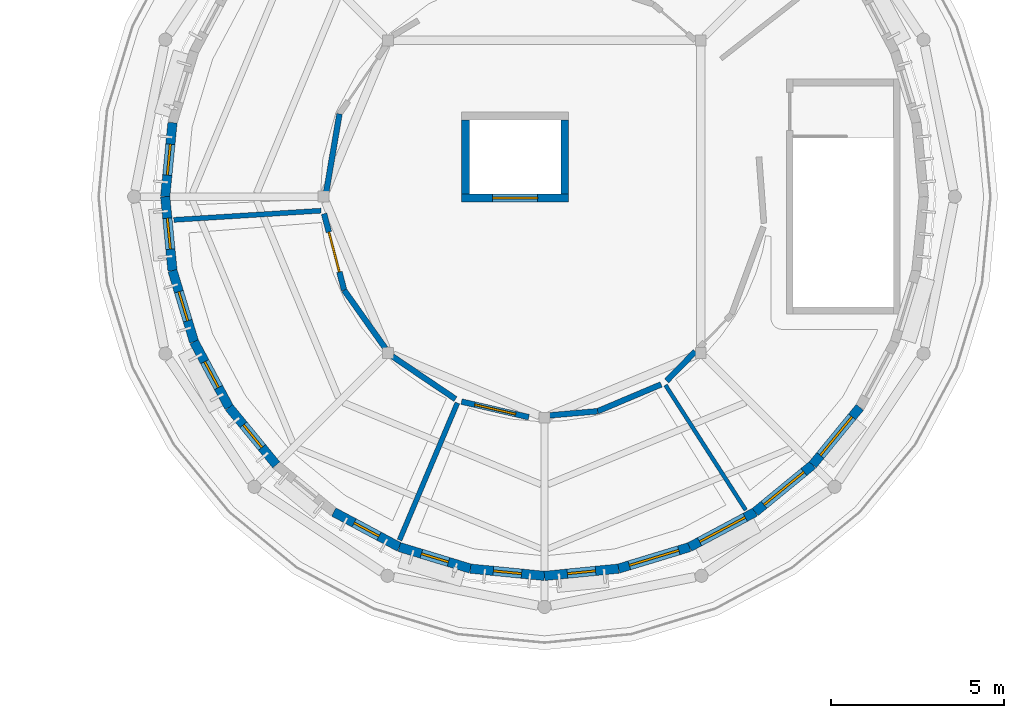
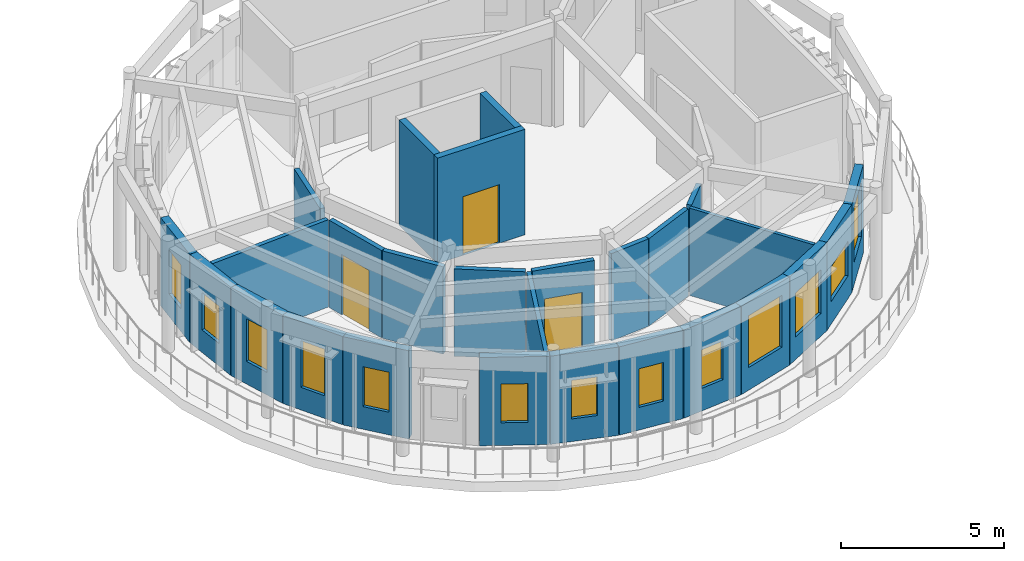
# One storey, part 24 of 37: 27 walls, 13 windows, 3 doors, 16 openings.
"""IFC4 building model written with IfcOpenShell, lengths in metres."""

from ifc_helpers import new_model, si_unit, direction, frame, frame_2d, origin, place, context, subcontext, project, spatial, rectangle, extrude, material, layer, layer_set, type_object, element, fill, save


model = new_model("IFC4")

# Units and contexts
model_context = context("Model", 3, precision=1e-05, world=origin(), true_north=direction((0.0, 1.0)))
body_context = subcontext(model_context, "Body", "Model", "MODEL_VIEW")
ifc_project = project(units=[si_unit("LENGTHUNIT", "METRE"), si_unit("AREAUNIT", "SQUARE_METRE"), si_unit("VOLUMEUNIT", "CUBIC_METRE"), si_unit("PLANEANGLEUNIT", "RADIAN"), si_unit("MASSUNIT", "GRAM", prefix="KILO")], contexts=[model_context])

# Site, building, storey
site_placement = place(None, origin())
site = spatial("IfcSite", under=ifc_project, at=site_placement, CompositionType="ELEMENT")
building_placement = place(site_placement, origin())
building = spatial("IfcBuilding", under=site, at=building_placement, Name="Aldenvaro Health Centre", CompositionType="ELEMENT")
storey_placement = place(building_placement, frame((0.0, 0.0, 12.949951171875)))
storey = spatial("IfcBuildingStorey", under=building, at=storey_placement, Name="L03", CompositionType="ELEMENT", Elevation=12.949951171875)

# Walls
ifc_material_1 = material(Name="Gypsum Stud Acoustic Assembly")
ifc_layer_1 = layer(ifc_material_1, 0.14501953125, Name="Gypsum Stud Acoustic Assembly")
ifc_layer_set_1 = layer_set([ifc_layer_1], Name="Gypsum Stud Acoustic Assembly")
wall_type_1 = type_object("IfcWallType", Name="WL-CLN-145", PredefinedType="PARTITIONING", material=ifc_layer_set_1)
wall_1_placement = place(storey_placement, frame((148.030029296875, 99.093994140625, 0.0), z_axis=(0.0, 0.0, 1.0), x_axis=(-0.998041214069, -0.062559851498, 0.0)))
element("IfcWall", 1, at=wall_1_placement, inside=storey, type_object=wall_type_1, Name="D2 L03 clinical partition 2.1", PredefinedType="PARTITIONING", context=body_context, shape_type="SweptSolid", body=[
    extrude(rectangle(XDim=4.269287109375, YDim=0.14501953125, at=frame_2d((2.134765625, 0.0))), origin(), (0.0, 0.0, 1.0), 3.279052734375),
])
wall_2_placement = place(storey_placement, frame((151.97900390625, 93.527099609375, 0.0), z_axis=(0.0, 0.0, 1.0), x_axis=(-0.388824533624, -0.921311826719, 0.0)))
element("IfcWall", 2, at=wall_2_placement, inside=storey, type_object=wall_type_1, Name="D2 L03 clinical partition 3.1", PredefinedType="PARTITIONING", context=body_context, shape_type="SweptSolid", body=[
    extrude(rectangle(XDim=4.307861328125, YDim=0.14501953125, at=frame_2d((2.15380859375, 0.0))), origin(), (0.0, 0.0, 1.0), 3.279052734375),
])
ifc_layer_2 = layer(ifc_material_1, 0.1650390625, Name="Gypsum Stud Acoustic Assembly")
ifc_layer_set_2 = layer_set([ifc_layer_2], Name="Gypsum Stud Acoustic Assembly")
wall_type_2 = type_object("IfcWallType", Name="WL-COR-165", PredefinedType="PARTITIONING", material=ifc_layer_set_2)
wall_3_placement = place(storey_placement, frame((148.56494140625, 101.89599609375, 0.0), z_axis=(0.0, 0.0, 1.0), x_axis=(-0.166872665665, -0.985978454863, 0.0)))
element("IfcWall", 3, at=wall_3_placement, inside=storey, type_object=wall_type_2, Name="D2 L03 corridor wall 01.4", PredefinedType="PARTITIONING", context=body_context, shape_type="SweptSolid", body=[
    extrude(rectangle(XDim=2.2880859375, YDim=0.1650390625, at=frame_2d((1.14404296875, 0.0))), origin(), (0.0, 0.0, 1.0), 3.279052734375),
])

# Wall, opening, door
wall_4_placement = place(storey_placement, frame((148.118896484375, 99.0048828125, 0.0), z_axis=(0.0, 0.0, 1.0), x_axis=(0.254556263421, -0.96705796556, 0.0)))
wall_4 = element("IfcWall", 4, at=wall_4_placement, inside=storey, type_object=wall_type_2, Name="D2 L03 corridor wall 02.1", PredefinedType="PARTITIONING", context=body_context, shape_type="SweptSolid", body=[
    extrude(rectangle(XDim=2.290283203125, YDim=0.1650390625, at=frame_2d((1.14501953125, 0.0))), origin(), (0.0, 0.0, 1.0), 3.279052734375),
])
opening_1_placement = place(wall_4_placement, frame((0.550048828125, 0.0, 0.0)))
opening_1 = element("IfcOpeningElement", 5, at=opening_1_placement, cuts=wall_4, Name="Opening D-26", PredefinedType="OPENING", context=body_context, shape_type="SweptSolid", body=[
    extrude(rectangle(XDim=1.18994140625, YDim=2.260009765625, at=frame_2d((0.594970703125, 1.1298828125))), frame((0.0, 0.092529296875, 0.0), z_axis=(0.0, -1.0, 0.0), x_axis=(1.0, 0.0, 0.0)), (0.0, 0.0, 1.0), 0.18505859375),
])
ifc_material_2 = material(Name="Exam Suite Timber Door", Category="wood")
door_type_1 = type_object("IfcDoorType", Name="DR-CLN-26", OperationType="NOTDEFINED", PredefinedType="DOOR", material=ifc_material_2)
door_1_placement = place(opening_1_placement, origin())
door_1 = element("IfcDoor", 6, at=door_1_placement, inside=storey, type_object=door_type_1, Name="Discharge Nursing Consultation Door", OperationType="SINGLE_SWING_RIGHT", OverallHeight=2.260009765625, OverallWidth=1.18994140625, PredefinedType="DOOR", context=body_context, shape_type="SweptSolid", body=[
    extrude(rectangle(XDim=1.18994140625, YDim=2.260009765625, at=frame_2d((0.594970703125, 1.1298828125))), frame((0.0, 0.02490234375, 0.0), z_axis=(0.0, -1.0, 0.0), x_axis=(1.0, 0.0, 0.0)), (0.0, 0.0, 1.0), 0.050048828125),
])
fill(opening_1, door_1)

# Walls
wall_5_placement = place(storey_placement, frame((148.701904296875, 96.7900390625, 0.0), z_axis=(0.0, 0.0, 1.0), x_axis=(0.578673092917, -0.815559594103, 0.0)))
element("IfcWall", 7, at=wall_5_placement, inside=storey, type_object=wall_type_2, Name="D2 L03 corridor wall 02.2", PredefinedType="PARTITIONING", context=body_context, shape_type="SweptSolid", body=[
    extrude(rectangle(XDim=2.05517578125, YDim=0.1650390625, at=frame_2d((1.027587890625, 0.0))), origin(), (0.0, 0.0, 1.0), 3.279052734375),
])
wall_6_placement = place(storey_placement, frame((150.10107421875, 94.873046875, 0.0), z_axis=(0.0, 0.0, 1.0), x_axis=(0.828551404548, -0.55991300219, 0.0)))
element("IfcWall", 8, at=wall_6_placement, inside=storey, type_object=wall_type_2, Name="D2 L03 corridor wall 02.3", PredefinedType="PARTITIONING", context=body_context, shape_type="SweptSolid", body=[
    extrude(rectangle(XDim=2.2001953125, YDim=0.1650390625, at=frame_2d((1.10009765625, 0.0))), origin(), (0.0, 0.0, 1.0), 3.279052734375),
])

# Wall, opening, door
wall_7_placement = place(storey_placement, frame((152.09912109375, 93.56689453125, 0.0), z_axis=(0.0, 0.0, 1.0), x_axis=(0.97420761257, -0.225653556611, 0.0)))
wall_7 = element("IfcWall", 9, at=wall_7_placement, inside=storey, type_object=wall_type_2, Name="D2 L03 corridor wall 03.1", PredefinedType="PARTITIONING", context=body_context, shape_type="SweptSolid", body=[
    extrude(rectangle(XDim=1.998291015625, YDim=0.1650390625, at=frame_2d((0.9990234375, 0.0))), origin(), (0.0, 0.0, 1.0), 3.279052734375),
])
opening_2_placement = place(wall_7_placement, frame((0.39404296875, 0.0, 0.0)))
opening_2 = element("IfcOpeningElement", 10, at=opening_2_placement, cuts=wall_7, Name="Opening D-27", PredefinedType="OPENING", context=body_context, shape_type="SweptSolid", body=[
    extrude(rectangle(XDim=1.2099609375, YDim=2.159912109375, at=frame_2d((0.60498046875, 1.080078125))), frame((0.0, 0.092529296875, 0.0), z_axis=(0.0, -1.0, 0.0), x_axis=(1.0, 0.0, 0.0)), (0.0, 0.0, 1.0), 0.18505859375),
])
door_type_2 = type_object("IfcDoorType", Name="DR-CLN-27", OperationType="NOTDEFINED", PredefinedType="DOOR", material=ifc_material_2)
door_2_placement = place(opening_2_placement, origin())
door_2 = element("IfcDoor", 11, at=door_2_placement, inside=storey, type_object=door_type_2, Name="Post-Op Nutrition Pantry Door", OperationType="SINGLE_SWING_LEFT", OverallHeight=2.159912109375, OverallWidth=1.2099609375, PredefinedType="DOOR", context=body_context, shape_type="SweptSolid", body=[
    extrude(rectangle(XDim=1.2099609375, YDim=2.159912109375, at=frame_2d((0.60498046875, 1.080078125))), frame((0.0, 0.02490234375, 0.0), z_axis=(0.0, -1.0, 0.0), x_axis=(1.0, 0.0, 0.0)), (0.0, 0.0, 1.0), 0.050048828125),
])
fill(opening_2, door_2)

# Walls
wall_8_placement = place(storey_placement, frame((154.64697265625, 93.16796875, 0.0), z_axis=(0.0, 0.0, 1.0), x_axis=(0.996347499796, 0.085391215297, 0.0)))
element("IfcWall", 12, at=wall_8_placement, inside=storey, type_object=wall_type_2, Name="D2 L03 corridor wall 03.2", PredefinedType="PARTITIONING", context=body_context, shape_type="SweptSolid", body=[
    extrude(rectangle(XDim=1.395263671875, YDim=0.1650390625, at=frame_2d((0.69775390625, 0.0))), origin(), (0.0, 0.0, 1.0), 3.279052734375),
])
wall_9_placement = place(storey_placement, frame((156.037109375, 93.287109375, 0.0), z_axis=(0.0, 0.0, 1.0), x_axis=(0.9213176586, 0.38881071481, 0.0)))
element("IfcWall", 13, at=wall_9_placement, inside=storey, type_object=wall_type_2, Name="D2 L03 corridor wall 03.3", PredefinedType="PARTITIONING", context=body_context, shape_type="SweptSolid", body=[
    extrude(rectangle(XDim=1.998046875, YDim=0.1650390625, at=frame_2d((0.9990234375, 0.0))), origin(), (0.0, 0.0, 1.0), 3.279052734375),
])
wall_10_placement = place(storey_placement, frame((158.0380859375, 94.1669921875, 0.0), z_axis=(0.0, 0.0, 1.0), x_axis=(0.698115930022, 0.715984740235, 0.0)))
element("IfcWall", 14, at=wall_10_placement, inside=storey, type_object=wall_type_2, Name="D2 L03 corridor wall 04.1", PredefinedType="PARTITIONING", context=body_context, shape_type="SweptSolid", body=[
    extrude(rectangle(XDim=1.188720703125, YDim=0.1650390625, at=frame_2d((0.59423828125, 0.0))), origin(), (0.0, 0.0, 1.0), 3.279052734375),
])

# Wall, opening, window
ifc_material_3 = material(Name="Cross-laminated timber CLT E1", Category="wood")
ifc_layer_3 = layer(ifc_material_3, 0.27001953125, Name="Cross-laminated timber CLT E1", Category="wood")
ifc_layer_set_3 = layer_set([ifc_layer_3], Name="Cross-laminated timber CLT E1")
wall_type_3 = type_object("IfcWallType", Name="WL-EXT-270", PredefinedType="ELEMENTEDWALL", material=ifc_layer_set_3)
wall_11_placement = place(storey_placement, frame((163.6298828125, 93.39990234375, 0.0), z_axis=(0.0, 0.0, 1.0), x_axis=(-0.634533827498, -0.772895091045, 0.0)))
wall_11 = element("IfcWall", 15, at=wall_11_placement, inside=storey, type_object=wall_type_3, Name="D2 L03 exterior wall 03", PredefinedType="ELEMENTEDWALL", context=body_context, shape_type="SweptSolid", body=[
    extrude(rectangle(XDim=2.152587890625, YDim=0.27001953125, at=frame_2d((1.076171875, 0.0))), origin(), (0.0, 0.0, 1.0), 3.31396484375),
])
opening_3_placement = place(wall_11_placement, frame((0.35107421875, 0.0, 0.85009765625)))
opening_3 = element("IfcOpeningElement", 16, at=opening_3_placement, cuts=wall_11, Name="Opening W-61", PredefinedType="OPENING", context=body_context, shape_type="SweptSolid", body=[
    extrude(rectangle(XDim=1.449951171875, YDim=2.050048828125, at=frame_2d((0.72509765625, 1.02490234375))), frame((0.0, 0.14501953125, 0.0), z_axis=(0.0, -1.0, 0.0), x_axis=(1.0, 0.0, 0.0)), (0.0, 0.0, 1.0), 0.2900390625),
])
ifc_material_4 = material(Name="Thermally Broken Aluminium Low-E Glass", Category="aluminium")
window_type_1 = type_object("IfcWindowType", Name="WN-EXT-61", PartitioningType="SINGLE_PANEL", PredefinedType="WINDOW", material=ifc_material_4)
window_1_placement = place(opening_3_placement, origin())
window_1 = element("IfcWindow", 17, at=window_1_placement, inside=storey, type_object=window_type_1, Name="D2 L03 clinical window 03", OverallHeight=2.050048828125, OverallWidth=1.449951171875, PartitioningType="SINGLE_PANEL", PredefinedType="WINDOW", context=body_context, shape_type="SweptSolid", body=[
    extrude(rectangle(XDim=1.449951171875, YDim=2.050048828125, at=frame_2d((0.72509765625, 1.02490234375))), frame((0.0, 0.030029296875, 0.0), z_axis=(0.0, -1.0, 0.0), x_axis=(1.0, 0.0, 0.0)), (0.0, 0.0, 1.0), 0.06005859375),
])
fill(opening_3, window_1)

wall_12_placement = place(storey_placement, frame((162.263916015625, 91.736083984375, 0.0), z_axis=(0.0, 0.0, 1.0), x_axis=(-0.772895091045, -0.634533827498, 0.0)))
wall_12 = element("IfcWall", 18, at=wall_12_placement, inside=storey, type_object=wall_type_3, Name="D2 L03 exterior wall 04", PredefinedType="ELEMENTEDWALL", context=body_context, shape_type="SweptSolid", body=[
    extrude(rectangle(XDim=2.152587890625, YDim=0.27001953125, at=frame_2d((1.076171875, 0.0))), origin(), (0.0, 0.0, 1.0), 3.31396484375),
])
opening_4_placement = place(wall_12_placement, frame((0.325927734375, 0.0, 0.85009765625)))
opening_4 = element("IfcOpeningElement", 19, at=opening_4_placement, cuts=wall_12, Name="Opening W-62", PredefinedType="OPENING", context=body_context, shape_type="SweptSolid", body=[
    extrude(rectangle(XDim=1.5, YDim=1.300048828125, at=frame_2d((0.75, 0.64990234375))), frame((0.0, 0.14501953125, 0.0), z_axis=(0.0, -1.0, 0.0), x_axis=(1.0, 0.0, 0.0)), (0.0, 0.0, 1.0), 0.2900390625),
])
window_type_2 = type_object("IfcWindowType", Name="WN-EXT-62", PartitioningType="SINGLE_PANEL", PredefinedType="WINDOW", material=ifc_material_4)
window_2_placement = place(opening_4_placement, origin())
window_2 = element("IfcWindow", 20, at=window_2_placement, inside=storey, type_object=window_type_2, Name="D2 L03 clinical window 04", OverallHeight=1.300048828125, OverallWidth=1.5, PartitioningType="SINGLE_PANEL", PredefinedType="WINDOW", context=body_context, shape_type="SweptSolid", body=[
    extrude(rectangle(XDim=1.5, YDim=1.300048828125, at=frame_2d((0.75, 0.64990234375))), frame((0.0, 0.030029296875, 0.0), z_axis=(0.0, -1.0, 0.0), x_axis=(1.0, 0.0, 0.0)), (0.0, 0.0, 1.0), 0.06005859375),
])
fill(opening_4, window_2)

wall_13_placement = place(storey_placement, frame((160.60009765625, 90.3701171875, 0.0), z_axis=(0.0, 0.0, 1.0), x_axis=(-0.882007276215, -0.471235784617, 0.0)))
wall_13 = element("IfcWall", 21, at=wall_13_placement, inside=storey, type_object=wall_type_3, Name="D2 L03 exterior wall 05", PredefinedType="ELEMENTEDWALL", context=body_context, shape_type="SweptSolid", body=[
    extrude(rectangle(XDim=2.152099609375, YDim=0.27001953125, at=frame_2d((1.076171875, 0.0))), origin(), (0.0, 0.0, 1.0), 3.31396484375),
])
opening_5_placement = place(wall_13_placement, frame((0.325927734375, 0.0, 0.85009765625)))
opening_5 = element("IfcOpeningElement", 22, at=opening_5_placement, cuts=wall_13, Name="Opening W-63", PredefinedType="OPENING", context=body_context, shape_type="SweptSolid", body=[
    extrude(rectangle(XDim=1.5, YDim=1.64990234375, at=frame_2d((0.75, 0.824951171875))), frame((0.0, 0.14501953125, 0.0), z_axis=(0.0, -1.0, 0.0), x_axis=(1.0, 0.0, 0.0)), (0.0, 0.0, 1.0), 0.2900390625),
])
window_type_3 = type_object("IfcWindowType", Name="WN-EXT-63", PartitioningType="SINGLE_PANEL", PredefinedType="WINDOW", material=ifc_material_4)
window_3_placement = place(opening_5_placement, origin())
window_3 = element("IfcWindow", 23, at=window_3_placement, inside=storey, type_object=window_type_3, Name="D2 L03 clinical window 05", OverallHeight=1.64990234375, OverallWidth=1.5, PartitioningType="SINGLE_PANEL", PredefinedType="WINDOW", context=body_context, shape_type="SweptSolid", body=[
    extrude(rectangle(XDim=1.5, YDim=1.64990234375, at=frame_2d((0.75, 0.824951171875))), frame((0.0, 0.030029296875, 0.0), z_axis=(0.0, -1.0, 0.0), x_axis=(1.0, 0.0, 0.0)), (0.0, 0.0, 1.0), 0.06005859375),
])
fill(opening_5, window_3)

wall_14_placement = place(storey_placement, frame((158.701904296875, 89.35595703125, 0.0), z_axis=(0.0, 0.0, 1.0), x_axis=(-0.95691941216, -0.290353644083, 0.0)))
wall_14 = element("IfcWall", 24, at=wall_14_placement, inside=storey, type_object=wall_type_3, Name="D2 L03 exterior wall 06", PredefinedType="ELEMENTEDWALL", context=body_context, shape_type="SweptSolid", body=[
    extrude(rectangle(XDim=2.152587890625, YDim=0.27001953125, at=frame_2d((1.076171875, 0.0))), origin(), (0.0, 0.0, 1.0), 3.31396484375),
])
opening_6_placement = place(wall_14_placement, frame((0.325927734375, 0.0, 0.85009765625)))
opening_6 = element("IfcOpeningElement", 25, at=opening_6_placement, cuts=wall_14, Name="Opening W-64", PredefinedType="OPENING", context=body_context, shape_type="SweptSolid", body=[
    extrude(rectangle(XDim=1.5, YDim=1.949951171875, at=frame_2d((0.75, 0.97509765625))), frame((0.0, 0.14501953125, 0.0), z_axis=(0.0, -1.0, 0.0), x_axis=(1.0, 0.0, 0.0)), (0.0, 0.0, 1.0), 0.2900390625),
])
window_type_4 = type_object("IfcWindowType", Name="WN-EXT-64", PartitioningType="SINGLE_PANEL", PredefinedType="WINDOW", material=ifc_material_4)
window_4_placement = place(opening_6_placement, origin())
window_4 = element("IfcWindow", 26, at=window_4_placement, inside=storey, type_object=window_type_4, Name="D2 L03 clinical window 06", OverallHeight=1.949951171875, OverallWidth=1.5, PartitioningType="SINGLE_PANEL", PredefinedType="WINDOW", context=body_context, shape_type="SweptSolid", body=[
    extrude(rectangle(XDim=1.5, YDim=1.949951171875, at=frame_2d((0.75, 0.97509765625))), frame((0.0, 0.030029296875, 0.0), z_axis=(0.0, -1.0, 0.0), x_axis=(1.0, 0.0, 0.0)), (0.0, 0.0, 1.0), 0.06005859375),
])
fill(opening_6, window_4)

wall_15_placement = place(storey_placement, frame((156.64208984375, 88.73095703125, 0.0), z_axis=(0.0, 0.0, 1.0), x_axis=(-0.995186536277, -0.097998765368, 0.0)))
wall_15 = element("IfcWall", 27, at=wall_15_placement, inside=storey, type_object=wall_type_3, Name="D2 L03 exterior wall 07", PredefinedType="ELEMENTEDWALL", context=body_context, shape_type="SweptSolid", body=[
    extrude(rectangle(XDim=2.15234375, YDim=0.27001953125, at=frame_2d((1.076171875, 0.0))), origin(), (0.0, 0.0, 1.0), 3.31396484375),
])
opening_7_placement = place(wall_15_placement, frame((0.666015625, 0.0, 0.85009765625)))
opening_7 = element("IfcOpeningElement", 28, at=opening_7_placement, cuts=wall_15, Name="Opening W-01", PredefinedType="OPENING", context=body_context, shape_type="SweptSolid", body=[
    extrude(rectangle(XDim=0.820068359375, YDim=1.449951171875, at=frame_2d((0.41015625, 0.72509765625))), frame((0.0, 0.14501953125, 0.0), z_axis=(0.0, -1.0, 0.0), x_axis=(1.0, 0.0, 0.0)), (0.0, 0.0, 1.0), 0.2900390625),
])
window_type_5 = type_object("IfcWindowType", Name="WN-EXT-01", PartitioningType="SINGLE_PANEL", PredefinedType="WINDOW", material=ifc_material_4)
window_5_placement = place(opening_7_placement, origin())
window_5 = element("IfcWindow", 29, at=window_5_placement, inside=storey, type_object=window_type_5, Name="D2 L03 clinical window 07", OverallHeight=1.449951171875, OverallWidth=0.820068359375, PartitioningType="SINGLE_PANEL", PredefinedType="WINDOW", context=body_context, shape_type="SweptSolid", body=[
    extrude(rectangle(XDim=0.820068359375, YDim=1.449951171875, at=frame_2d((0.41015625, 0.72509765625))), frame((0.0, 0.030029296875, 0.0), z_axis=(0.0, -1.0, 0.0), x_axis=(1.0, 0.0, 0.0)), (0.0, 0.0, 1.0), 0.06005859375),
])
fill(opening_7, window_5)

wall_16_placement = place(storey_placement, frame((154.5, 88.52001953125, 0.0), z_axis=(0.0, 0.0, 1.0), x_axis=(-0.995186536277, 0.097998765368, 0.0)))
wall_16 = element("IfcWall", 30, at=wall_16_placement, inside=storey, type_object=wall_type_3, Name="D2 L03 exterior wall 08", PredefinedType="ELEMENTEDWALL", context=body_context, shape_type="SweptSolid", body=[
    extrude(rectangle(XDim=2.15234375, YDim=0.27001953125, at=frame_2d((1.076171875, 0.0))), origin(), (0.0, 0.0, 1.0), 3.31396484375),
])
opening_8_placement = place(wall_16_placement, frame((0.666015625, 0.0, 0.85009765625)))
opening_8 = element("IfcOpeningElement", 31, at=opening_8_placement, cuts=wall_16, Name="Opening W-01", PredefinedType="OPENING", context=body_context, shape_type="SweptSolid", body=[
    extrude(rectangle(XDim=0.820068359375, YDim=1.449951171875, at=frame_2d((0.41015625, 0.72509765625))), frame((0.0, 0.14501953125, 0.0), z_axis=(0.0, -1.0, 0.0), x_axis=(1.0, 0.0, 0.0)), (0.0, 0.0, 1.0), 0.2900390625),
])
window_6_placement = place(opening_8_placement, origin())
window_6 = element("IfcWindow", 32, at=window_6_placement, inside=storey, type_object=window_type_5, Name="D2 L03 clinical window 08", OverallHeight=1.449951171875, OverallWidth=0.820068359375, PartitioningType="SINGLE_PANEL", PredefinedType="WINDOW", context=body_context, shape_type="SweptSolid", body=[
    extrude(rectangle(XDim=0.820068359375, YDim=1.449951171875, at=frame_2d((0.41015625, 0.72509765625))), frame((0.0, 0.030029296875, 0.0), z_axis=(0.0, -1.0, 0.0), x_axis=(1.0, 0.0, 0.0)), (0.0, 0.0, 1.0), 0.06005859375),
])
fill(opening_8, window_6)

wall_17_placement = place(storey_placement, frame((152.35791015625, 88.73095703125, 0.0), z_axis=(0.0, 0.0, 1.0), x_axis=(-0.95691941216, 0.290353644083, 0.0)))
wall_17 = element("IfcWall", 33, at=wall_17_placement, inside=storey, type_object=wall_type_3, Name="D2 L03 exterior wall 09", PredefinedType="ELEMENTEDWALL", context=body_context, shape_type="SweptSolid", body=[
    extrude(rectangle(XDim=2.152587890625, YDim=0.27001953125, at=frame_2d((1.076171875, 0.0))), origin(), (0.0, 0.0, 1.0), 3.31396484375),
])
opening_9_placement = place(wall_17_placement, frame((0.666015625, 0.0, 0.85009765625)))
opening_9 = element("IfcOpeningElement", 34, at=opening_9_placement, cuts=wall_17, Name="Opening W-01", PredefinedType="OPENING", context=body_context, shape_type="SweptSolid", body=[
    extrude(rectangle(XDim=0.820068359375, YDim=1.449951171875, at=frame_2d((0.41015625, 0.72509765625))), frame((0.0, 0.14501953125, 0.0), z_axis=(0.0, -1.0, 0.0), x_axis=(1.0, 0.0, 0.0)), (0.0, 0.0, 1.0), 0.2900390625),
])
window_7_placement = place(opening_9_placement, origin())
window_7 = element("IfcWindow", 35, at=window_7_placement, inside=storey, type_object=window_type_5, Name="D2 L03 clinical window 09", OverallHeight=1.449951171875, OverallWidth=0.820068359375, PartitioningType="SINGLE_PANEL", PredefinedType="WINDOW", context=body_context, shape_type="SweptSolid", body=[
    extrude(rectangle(XDim=0.820068359375, YDim=1.449951171875, at=frame_2d((0.41015625, 0.72509765625))), frame((0.0, 0.030029296875, 0.0), z_axis=(0.0, -1.0, 0.0), x_axis=(1.0, 0.0, 0.0)), (0.0, 0.0, 1.0), 0.06005859375),
])
fill(opening_9, window_7)

wall_18_placement = place(storey_placement, frame((150.298095703125, 89.35595703125, 0.0), z_axis=(0.0, 0.0, 1.0), x_axis=(-0.882007276215, 0.471235784617, 0.0)))
wall_18 = element("IfcWall", 36, at=wall_18_placement, inside=storey, type_object=wall_type_3, Name="D2 L03 exterior wall 10", PredefinedType="ELEMENTEDWALL", context=body_context, shape_type="SweptSolid", body=[
    extrude(rectangle(XDim=2.152099609375, YDim=0.27001953125, at=frame_2d((1.076171875, 0.0))), origin(), (0.0, 0.0, 1.0), 3.31396484375),
])
opening_10_placement = place(wall_18_placement, frame((0.666015625, 0.0, 0.85009765625)))
opening_10 = element("IfcOpeningElement", 37, at=opening_10_placement, cuts=wall_18, Name="Opening W-01", PredefinedType="OPENING", context=body_context, shape_type="SweptSolid", body=[
    extrude(rectangle(XDim=0.820068359375, YDim=1.449951171875, at=frame_2d((0.41015625, 0.72509765625))), frame((0.0, 0.14501953125, 0.0), z_axis=(0.0, -1.0, 0.0), x_axis=(1.0, 0.0, 0.0)), (0.0, 0.0, 1.0), 0.2900390625),
])
window_8_placement = place(opening_10_placement, origin())
window_8 = element("IfcWindow", 38, at=window_8_placement, inside=storey, type_object=window_type_5, Name="D2 L03 clinical window 10", OverallHeight=1.449951171875, OverallWidth=0.820068359375, PartitioningType="SINGLE_PANEL", PredefinedType="WINDOW", context=body_context, shape_type="SweptSolid", body=[
    extrude(rectangle(XDim=0.820068359375, YDim=1.449951171875, at=frame_2d((0.41015625, 0.72509765625))), frame((0.0, 0.030029296875, 0.0), z_axis=(0.0, -1.0, 0.0), x_axis=(1.0, 0.0, 0.0)), (0.0, 0.0, 1.0), 0.06005859375),
])
fill(opening_10, window_8)

wall_19_placement = place(storey_placement, frame((146.736083984375, 91.736083984375, 0.0), z_axis=(0.0, 0.0, 1.0), x_axis=(-0.634533827498, 0.772895091045, 0.0)))
wall_19 = element("IfcWall", 39, at=wall_19_placement, inside=storey, type_object=wall_type_3, Name="D2 L03 exterior wall 12", PredefinedType="ELEMENTEDWALL", context=body_context, shape_type="SweptSolid", body=[
    extrude(rectangle(XDim=2.152587890625, YDim=0.27001953125, at=frame_2d((1.076171875, 0.0))), origin(), (0.0, 0.0, 1.0), 3.31396484375),
])
opening_11_placement = place(wall_19_placement, frame((0.65087890625, 0.0, 0.85009765625)))
opening_11 = element("IfcOpeningElement", 40, at=opening_11_placement, cuts=wall_19, Name="Opening W-02", PredefinedType="OPENING", context=body_context, shape_type="SweptSolid", body=[
    extrude(rectangle(XDim=0.85009765625, YDim=1.5, at=frame_2d((0.425048828125, 0.75))), frame((0.0, 0.14501953125, 0.0), z_axis=(0.0, -1.0, 0.0), x_axis=(1.0, 0.0, 0.0)), (0.0, 0.0, 1.0), 0.2900390625),
])
window_type_6 = type_object("IfcWindowType", Name="WN-EXT-02", PartitioningType="SINGLE_PANEL", PredefinedType="WINDOW", material=ifc_material_4)
window_9_placement = place(opening_11_placement, origin())
window_9 = element("IfcWindow", 41, at=window_9_placement, inside=storey, type_object=window_type_6, Name="D2 L03 clinical window 12", OverallHeight=1.5, OverallWidth=0.85009765625, PartitioningType="SINGLE_PANEL", PredefinedType="WINDOW", context=body_context, shape_type="SweptSolid", body=[
    extrude(rectangle(XDim=0.85009765625, YDim=1.5, at=frame_2d((0.425048828125, 0.75))), frame((0.0, 0.030029296875, 0.0), z_axis=(0.0, -1.0, 0.0), x_axis=(1.0, 0.0, 0.0)), (0.0, 0.0, 1.0), 0.06005859375),
])
fill(opening_11, window_9)

wall_20_placement = place(storey_placement, frame((145.3701171875, 93.39990234375, 0.0), z_axis=(0.0, 0.0, 1.0), x_axis=(-0.471235784617, 0.882007276215, 0.0)))
wall_20 = element("IfcWall", 42, at=wall_20_placement, inside=storey, type_object=wall_type_3, Name="D2 L03 exterior wall 13", PredefinedType="ELEMENTEDWALL", context=body_context, shape_type="SweptSolid", body=[
    extrude(rectangle(XDim=2.152099609375, YDim=0.27001953125, at=frame_2d((1.076171875, 0.0))), origin(), (0.0, 0.0, 1.0), 3.31396484375),
])
opening_12_placement = place(wall_20_placement, frame((0.65087890625, 0.0, 0.85009765625)))
opening_12 = element("IfcOpeningElement", 43, at=opening_12_placement, cuts=wall_20, Name="Opening W-03", PredefinedType="OPENING", context=body_context, shape_type="SweptSolid", body=[
    extrude(rectangle(XDim=0.85009765625, YDim=1.75, at=frame_2d((0.425048828125, 0.875))), frame((0.0, 0.14501953125, 0.0), z_axis=(0.0, -1.0, 0.0), x_axis=(1.0, 0.0, 0.0)), (0.0, 0.0, 1.0), 0.2900390625),
])
window_type_7 = type_object("IfcWindowType", Name="WN-EXT-03", PartitioningType="SINGLE_PANEL", PredefinedType="WINDOW", material=ifc_material_4)
window_10_placement = place(opening_12_placement, origin())
window_10 = element("IfcWindow", 44, at=window_10_placement, inside=storey, type_object=window_type_7, Name="D2 L03 clinical window 13", OverallHeight=1.75, OverallWidth=0.85009765625, PartitioningType="SINGLE_PANEL", PredefinedType="WINDOW", context=body_context, shape_type="SweptSolid", body=[
    extrude(rectangle(XDim=0.85009765625, YDim=1.75, at=frame_2d((0.425048828125, 0.875))), frame((0.0, 0.030029296875, 0.0), z_axis=(0.0, -1.0, 0.0), x_axis=(1.0, 0.0, 0.0)), (0.0, 0.0, 1.0), 0.06005859375),
])
fill(opening_12, window_10)

wall_21_placement = place(storey_placement, frame((144.35595703125, 95.298095703125, 0.0), z_axis=(0.0, 0.0, 1.0), x_axis=(-0.290353644083, 0.95691941216, 0.0)))
wall_21 = element("IfcWall", 45, at=wall_21_placement, inside=storey, type_object=wall_type_3, Name="D2 L03 exterior wall 14", PredefinedType="ELEMENTEDWALL", context=body_context, shape_type="SweptSolid", body=[
    extrude(rectangle(XDim=2.152587890625, YDim=0.27001953125, at=frame_2d((1.076171875, 0.0))), origin(), (0.0, 0.0, 1.0), 3.31396484375),
])
opening_13_placement = place(wall_21_placement, frame((0.635986328125, 0.0, 0.85009765625)))
opening_13 = element("IfcOpeningElement", 46, at=opening_13_placement, cuts=wall_21, Name="Opening W-04", PredefinedType="OPENING", context=body_context, shape_type="SweptSolid", body=[
    extrude(rectangle(XDim=0.8798828125, YDim=1.60009765625, at=frame_2d((0.43994140625, 0.800048828125))), frame((0.0, 0.14501953125, 0.0), z_axis=(0.0, -1.0, 0.0), x_axis=(1.0, 0.0, 0.0)), (0.0, 0.0, 1.0), 0.2900390625),
])
window_type_8 = type_object("IfcWindowType", Name="WN-EXT-04", PartitioningType="SINGLE_PANEL", PredefinedType="WINDOW", material=ifc_material_4)
window_11_placement = place(opening_13_placement, origin())
window_11 = element("IfcWindow", 47, at=window_11_placement, inside=storey, type_object=window_type_8, Name="D2 L03 clinical window 14", OverallHeight=1.60009765625, OverallWidth=0.8798828125, PartitioningType="SINGLE_PANEL", PredefinedType="WINDOW", context=body_context, shape_type="SweptSolid", body=[
    extrude(rectangle(XDim=0.8798828125, YDim=1.60009765625, at=frame_2d((0.43994140625, 0.800048828125))), frame((0.0, 0.030029296875, 0.0), z_axis=(0.0, -1.0, 0.0), x_axis=(1.0, 0.0, 0.0)), (0.0, 0.0, 1.0), 0.06005859375),
])
fill(opening_13, window_11)

wall_22_placement = place(storey_placement, frame((143.73095703125, 97.35791015625, 0.0), z_axis=(0.0, 0.0, 1.0), x_axis=(-0.097998765368, 0.995186536277, 0.0)))
wall_22 = element("IfcWall", 48, at=wall_22_placement, inside=storey, type_object=wall_type_3, Name="D2 L03 exterior wall 15", PredefinedType="ELEMENTEDWALL", context=body_context, shape_type="SweptSolid", body=[
    extrude(rectangle(XDim=2.15234375, YDim=0.27001953125, at=frame_2d((1.076171875, 0.0))), origin(), (0.0, 0.0, 1.0), 3.31396484375),
])
opening_14_placement = place(wall_22_placement, frame((0.6259765625, 0.0, 0.85009765625)))
opening_14 = element("IfcOpeningElement", 49, at=opening_14_placement, cuts=wall_22, Name="Opening W-05", PredefinedType="OPENING", context=body_context, shape_type="SweptSolid", body=[
    extrude(rectangle(XDim=0.89990234375, YDim=1.39990234375, at=frame_2d((0.449951171875, 0.699951171875))), frame((0.0, 0.14501953125, 0.0), z_axis=(0.0, -1.0, 0.0), x_axis=(1.0, 0.0, 0.0)), (0.0, 0.0, 1.0), 0.2900390625),
])
window_type_9 = type_object("IfcWindowType", Name="WN-EXT-05", PartitioningType="SINGLE_PANEL", PredefinedType="WINDOW", material=ifc_material_4)
window_12_placement = place(opening_14_placement, origin())
window_12 = element("IfcWindow", 50, at=window_12_placement, inside=storey, type_object=window_type_9, Name="D2 L03 clinical window 15", OverallHeight=1.39990234375, OverallWidth=0.89990234375, PartitioningType="SINGLE_PANEL", PredefinedType="WINDOW", context=body_context, shape_type="SweptSolid", body=[
    extrude(rectangle(XDim=0.89990234375, YDim=1.39990234375, at=frame_2d((0.449951171875, 0.699951171875))), frame((0.0, 0.030029296875, 0.0), z_axis=(0.0, -1.0, 0.0), x_axis=(1.0, 0.0, 0.0)), (0.0, 0.0, 1.0), 0.06005859375),
])
fill(opening_14, window_12)

wall_23_placement = place(storey_placement, frame((143.52001953125, 99.5, 0.0), z_axis=(0.0, 0.0, 1.0), x_axis=(0.097998765368, 0.995186536277, 0.0)))
wall_23 = element("IfcWall", 51, at=wall_23_placement, inside=storey, type_object=wall_type_3, Name="D2 L03 exterior wall 16", PredefinedType="ELEMENTEDWALL", context=body_context, shape_type="SweptSolid", body=[
    extrude(rectangle(XDim=2.15234375, YDim=0.27001953125, at=frame_2d((1.076171875, 0.0))), origin(), (0.0, 0.0, 1.0), 3.31396484375),
])
opening_15_placement = place(wall_23_placement, frame((0.6259765625, 0.0, 0.85009765625)))
opening_15 = element("IfcOpeningElement", 52, at=opening_15_placement, cuts=wall_23, Name="Opening W-06", PredefinedType="OPENING", context=body_context, shape_type="SweptSolid", body=[
    extrude(rectangle(XDim=0.89990234375, YDim=1.64990234375, at=frame_2d((0.449951171875, 0.824951171875))), frame((0.0, 0.14501953125, 0.0), z_axis=(0.0, -1.0, 0.0), x_axis=(1.0, 0.0, 0.0)), (0.0, 0.0, 1.0), 0.2900390625),
])
window_type_10 = type_object("IfcWindowType", Name="WN-EXT-06", PartitioningType="SINGLE_PANEL", PredefinedType="WINDOW", material=ifc_material_4)
window_13_placement = place(opening_15_placement, origin())
window_13 = element("IfcWindow", 53, at=window_13_placement, inside=storey, type_object=window_type_10, Name="D2 L03 clinical window 16", OverallHeight=1.64990234375, OverallWidth=0.89990234375, PartitioningType="SINGLE_PANEL", PredefinedType="WINDOW", context=body_context, shape_type="SweptSolid", body=[
    extrude(rectangle(XDim=0.89990234375, YDim=1.64990234375, at=frame_2d((0.449951171875, 0.824951171875))), frame((0.0, 0.030029296875, 0.0), z_axis=(0.0, -1.0, 0.0), x_axis=(1.0, 0.0, 0.0)), (0.0, 0.0, 1.0), 0.06005859375),
])
fill(opening_15, window_13)

# Wall, opening, door
ifc_material_5 = material(Name="Concrete f'c 40 MPa", Category="concrete")
ifc_layer_4 = layer(ifc_material_5, 0.22509765625, Name="Concrete f'c 40 MPa", Category="concrete")
ifc_layer_set_4 = layer_set([ifc_layer_4], Name="Concrete f'c 40 MPa")
wall_type_4 = type_object("IfcWallType", Name="WL-SHAFT-225", PredefinedType="SHEAR", material=ifc_layer_set_4)
wall_24_placement = place(storey_placement, frame((152.10009765625, 99.462890625, 0.0), z_axis=(0.0, 0.0, 1.0), x_axis=(1.0, 0.0, 0.0)))
wall_24 = element("IfcWall", 54, at=wall_24_placement, inside=storey, type_object=wall_type_4, Name="LF-02 L03 lift shaft front wall", PredefinedType="SHEAR", context=body_context, shape_type="SweptSolid", body=[
    extrude(rectangle(XDim=3.099853515625, YDim=0.22509765625, at=frame_2d((1.5498046875, 0.0))), origin(), (0.0, 0.0, 1.0), 3.9599609375),
])
opening_16_placement = place(wall_24_placement, frame((0.89990234375, 0.0, 0.0)))
opening_16 = element("IfcOpeningElement", 55, at=opening_16_placement, cuts=wall_24, Name="Opening LD-02", PredefinedType="OPENING", context=body_context, shape_type="SweptSolid", body=[
    extrude(rectangle(XDim=1.300048828125, YDim=2.199951171875, at=frame_2d((0.64990234375, 1.10009765625))), frame((0.0, 0.12255859375, 0.0), z_axis=(0.0, -1.0, 0.0), x_axis=(1.0, 0.0, 0.0)), (0.0, 0.0, 1.0), 0.2451171875),
])
ifc_material_6 = material(Name="Stainless Steel Stretcher Landing Door", Category="steel")
door_type_3 = type_object("IfcDoorType", Name="DR-LIFT-130", OperationType="DOUBLE_DOOR_SLIDING", PredefinedType="DOOR", material=ifc_material_6)
door_3_placement = place(opening_16_placement, origin())
door_3 = element("IfcDoor", 56, at=door_3_placement, inside=storey, type_object=door_type_3, Name="Lift LF-02 L03 Sliding Landing Door", OperationType="DOUBLE_DOOR_SLIDING", OverallHeight=2.199951171875, OverallWidth=1.300048828125, PredefinedType="DOOR", context=body_context, shape_type="SweptSolid", body=[
    extrude(rectangle(XDim=1.300048828125, YDim=2.199951171875, at=frame_2d((0.64990234375, 1.10009765625))), frame((0.0, 0.02490234375, 0.0), z_axis=(0.0, -1.0, 0.0), x_axis=(1.0, 0.0, 0.0)), (0.0, 0.0, 1.0), 0.050048828125),
])
fill(opening_16, door_3)

# Walls
for number, where, z_axis, x_axis, name in (
    (57, (152.212890625, 99.574951171875, 0.0), (0.0, 0.0, 1.0), (0.0, 1.0, 0.0), "LF-02 L03 lift shaft side wall L"),
    (58, (155.087890625, 99.574951171875, 0.0), (0.0, 0.0, 1.0), (0.0, 1.0, 0.0), "LF-02 L03 lift shaft side wall R"),
):
    element("IfcWall", number, at=place(storey_placement, frame(where, z_axis=z_axis, x_axis=x_axis)), inside=storey, type_object=wall_type_4, Name=name, PredefinedType="SHEAR", context=body_context, shape_type="SweptSolid", body=[
        extrude(rectangle(XDim=2.150146484375, YDim=0.22509765625, at=frame_2d((1.0751953125, 0.0))), origin(), (0.0, 0.0, 1.0), 3.9599609375),
    ])
ifc_material_7 = material(Name="Light Gauge Steel Stud Partition", Category="steel")
ifc_layer_5 = layer(ifc_material_7, 0.114990234375, Name="Light Gauge Steel Stud Partition", Category="steel")
ifc_layer_set_5 = layer_set([ifc_layer_5], Name="Light Gauge Steel Stud Partition")
wall_type_5 = type_object("IfcWallType", Name="WL-SUB-115", PredefinedType="PARTITIONING", material=ifc_layer_set_5)
wall_25_placement = place(storey_placement, frame((158.0029296875, 94.044921875, 0.0), z_axis=(0.0, 0.0, 1.0), x_axis=(0.540341175476, -0.841446025652, 0.0)))
element("IfcWall", 59, at=wall_25_placement, inside=storey, type_object=wall_type_5, Name="D2 L03 clinical partition 4.1", PredefinedType="PARTITIONING", context=body_context, shape_type="SweptSolid", body=[
    extrude(rectangle(XDim=4.29736328125, YDim=0.114990234375, at=frame_2d((2.148681640625, 0.0))), origin(), (0.0, 0.0, 1.0), 3.279052734375),
])

save(model, "model.ifc")
